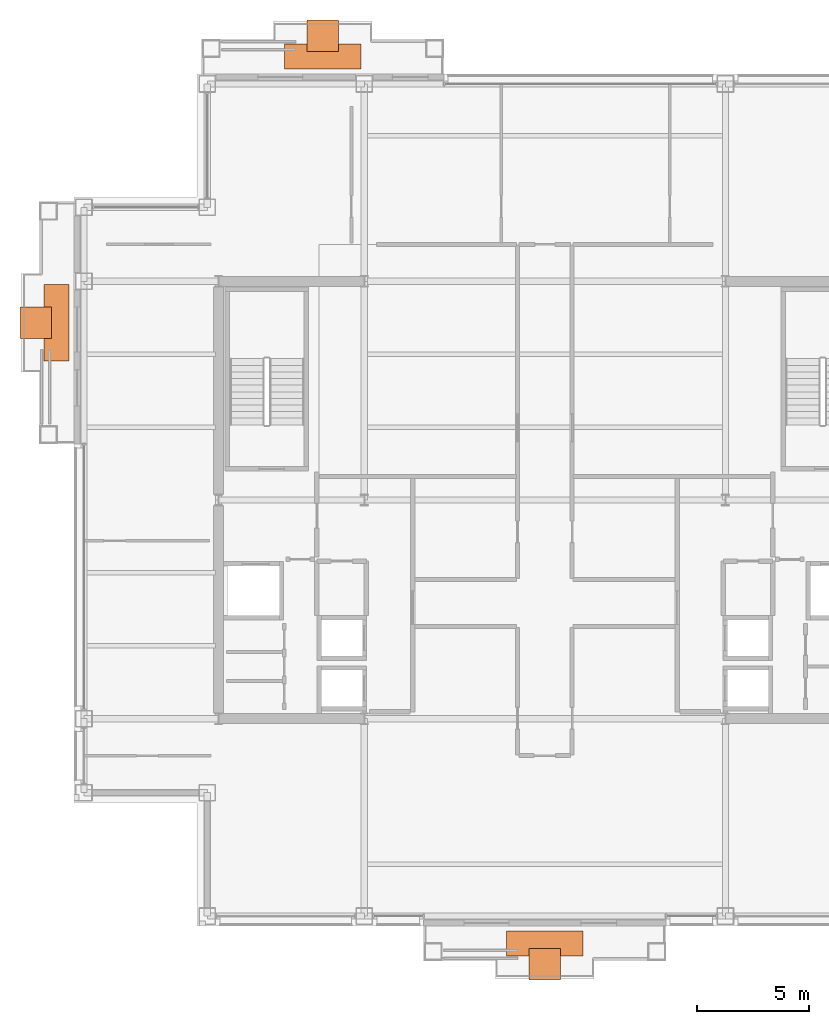
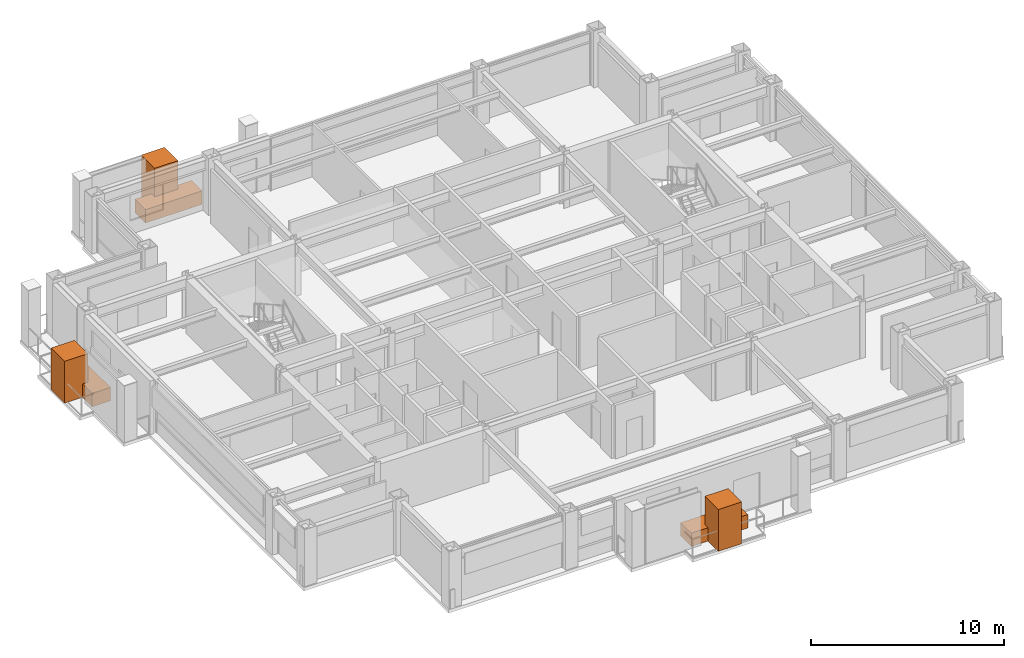
# One storey, part 30 of 30: 6 proxies.
"""IFC4 building model written with IfcOpenShell, lengths in metres."""

from ifc_helpers import new_model, si_unit, direction, frame, origin, origin_2d, place, context, subcontext, project, spatial, rectangle, extrude, material, type_object, element, save


model = new_model("IFC4")

# Units and contexts
model_context = context("Model", 3, precision=1e-05, world=origin(), true_north=direction((0.0, 1.0)))
body_context = subcontext(model_context, "Body", "Model", "MODEL_VIEW")
ifc_project = project(units=[si_unit("LENGTHUNIT", "METRE"), si_unit("AREAUNIT", "SQUARE_METRE"), si_unit("VOLUMEUNIT", "CUBIC_METRE"), si_unit("PLANEANGLEUNIT", "RADIAN"), si_unit("MASSUNIT", "GRAM", prefix="KILO")], contexts=[model_context])

# Site, building, storey
site_placement = place(None, origin())
site = spatial("IfcSite", under=ifc_project, at=site_placement, CompositionType="ELEMENT")
building_placement = place(site_placement, origin())
building = spatial("IfcBuilding", under=site, at=building_placement, Name="Brelmoor Portico Tower", CompositionType="ELEMENT")
storey_placement = place(building_placement, frame((0.0, 0.0, 169.5)))
storey = spatial("IfcBuildingStorey", under=building, at=storey_placement, Name="L44", CompositionType="ELEMENT", Elevation=169.5)

# Proxies
ifc_material_1 = material(Name="Planted Canopy Tree and Soil Rootball", Category="other")
building_element_proxy_type_1 = type_object("IfcBuildingElementProxyType", Name="BALCONY TREE ARBOR", PredefinedType="USERDEFINED", material=ifc_material_1)
for number, where, z_axis, x_axis, name in (
    (1, (0.0, -20.699951171875, 0.0), (0.0, 0.0, 1.0), (1.0, 0.0, 0.0), "L44 Balcony PLANTER Tree Canopy Arbor S"),
    (2, (-9.89990234375, 20.699951171875, 0.0), (0.0, 0.0, 1.0), (1.0, 0.0, 0.0), "L44 Balcony PLANTER Tree Canopy Arbor N"),
    (3, (-22.699951171875, 7.89990234375, 0.0), (0.0, 0.0, 1.0), (1.0, 0.0, 0.0), "L44 Balcony PLANTER Tree Canopy Arbor W"),
):
    element("IfcBuildingElementProxy", number, at=place(storey_placement, frame(where, z_axis=z_axis, x_axis=x_axis)), inside=storey, type_object=building_element_proxy_type_1, Name=name, ObjectType="PLANTER", PredefinedType="USERDEFINED", context=body_context, shape_type="SweptSolid", body=[
        extrude(rectangle(XDim=1.39990234375, YDim=1.39990234375, at=origin_2d()), origin(), (0.0, 0.0, 1.0), 2.64990234375),
    ])
ifc_material_2 = material(Name="Architectural Precast Concrete C40", Category="concrete")
building_element_proxy_type_2 = type_object("IfcBuildingElementProxyType", Name="TREE PLANTER", PredefinedType="USERDEFINED", material=ifc_material_2)
for number, where, z_axis, x_axis, name in (
    (4, (0.0, -19.77490234375, 0.0), (0.0, 0.0, 1.0), (1.0, 0.0, 0.0), "L44 Planted Tree Planter S"),
    (5, (-9.89990234375, 19.77490234375, 0.0), (0.0, 0.0, 1.0), (1.0, 0.0, 0.0), "L44 Planted Tree Planter N"),
    (6, (-21.77490234375, 7.89990234375, 0.0), (0.0, 0.0, 1.0), (0.0, 1.0, 0.0), "L44 Planted Tree Planter W"),
):
    element("IfcBuildingElementProxy", number, at=place(storey_placement, frame(where, z_axis=z_axis, x_axis=x_axis)), inside=storey, type_object=building_element_proxy_type_2, Name=name, ObjectType="PLANTER", PredefinedType="USERDEFINED", context=body_context, shape_type="SweptSolid", body=[
        extrude(rectangle(XDim=3.39990234375, YDim=1.10009765625, at=origin_2d()), origin(), (0.0, 0.0, 1.0), 0.85009765625),
    ])

save(model, "model.ifc")
